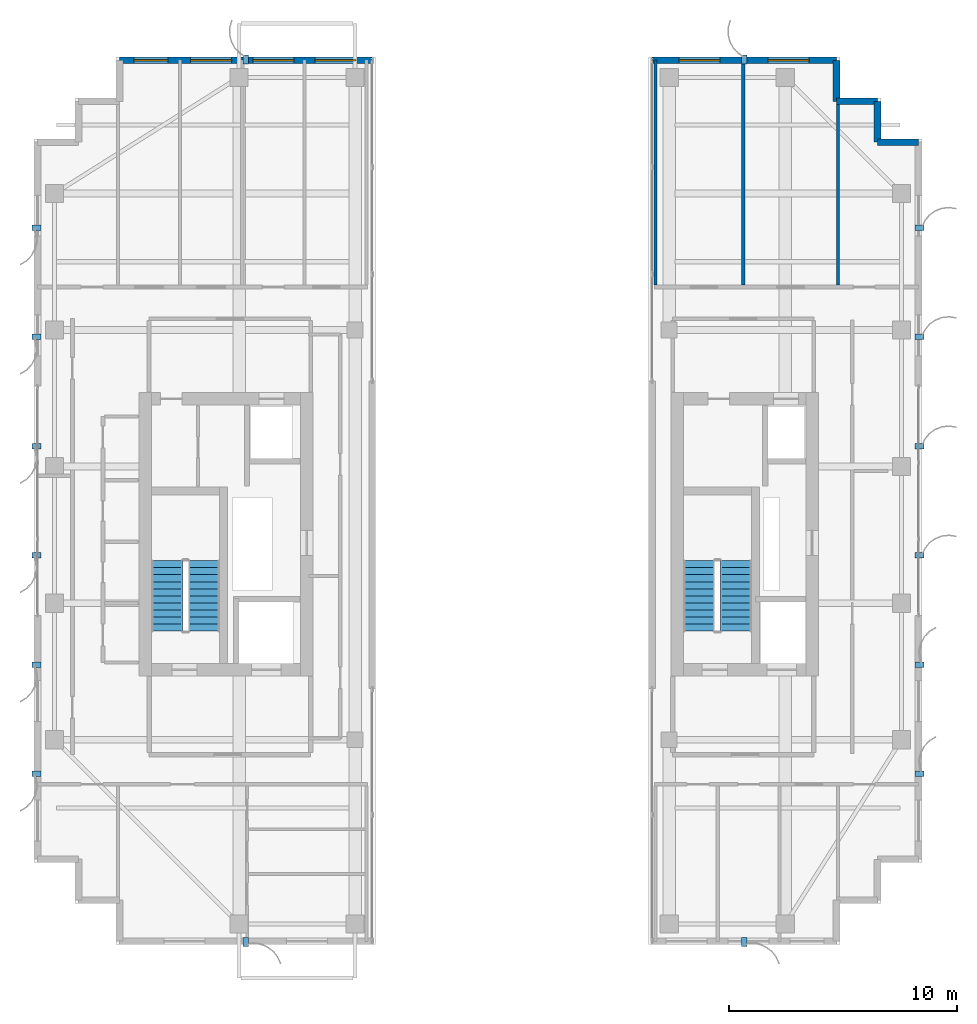
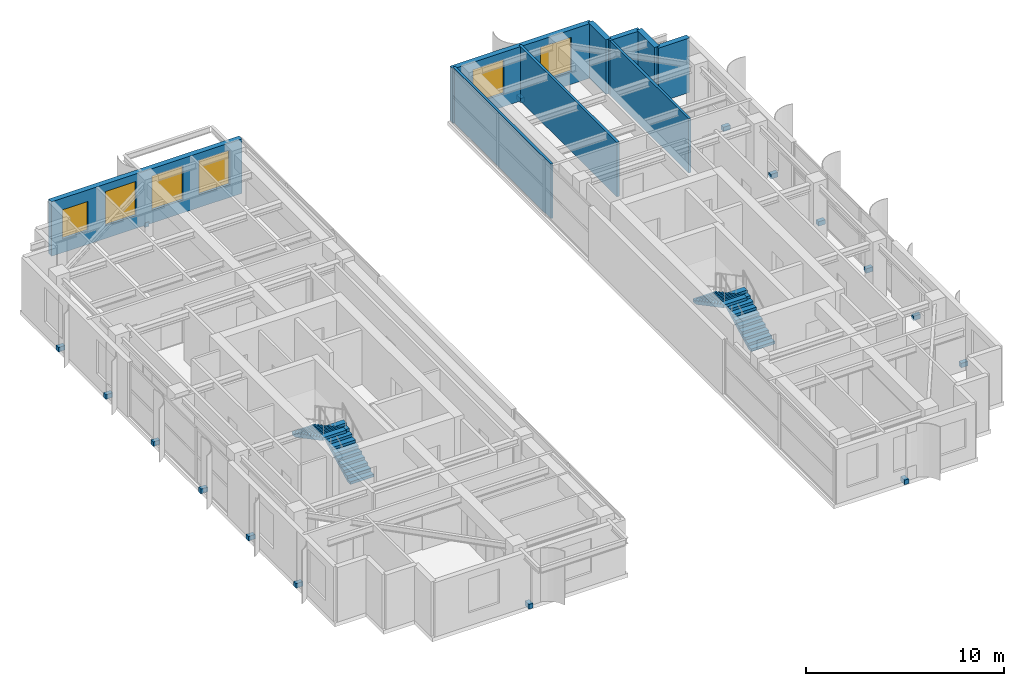
# One storey, part 20 of 22: 16 discrete accessories, 9 walls, 6 windows, 4 stair flights, 6 openings, 2 elements without a shape of their own.
"""IFC4 building model written with IfcOpenShell, lengths in metres."""

import ifcopenshell
import ifcopenshell.guid

model = None  # the IFC model being written
_history = None  # IfcOwnerHistory: only IFC2X3 demands one
_inside = {}  # id of a spatial element -> (the spatial element, [elements in it])
_under = {}  # id of a project, library or spatial element -> (it, [spatial elements below it])
_declared = {}  # id of a project -> (the project, [libraries it declares])
_typed = {}  # id of a type object -> (the type object, [elements of that type])
_made_of = {}  # id of a material, layer set ... -> (it, [elements and type objects made of it])


def new_model(schema):
    """Start an empty IFC model of exactly this schema.

    Asked for "IFC4X3", IfcOpenShell would pick the latest addendum, in which some entities
    have other attributes; the version numbers below select the first issue.
    IFC2X3 requires an IfcOwnerHistory on every rooted entity: one is made here for all.
    """
    global model, _history
    if schema == "IFC4X3":
        model = ifcopenshell.file(schema_version=(4, 3, 0, 0))
    else:
        model = ifcopenshell.file(schema=schema)
    _inside.clear()
    _under.clear()
    _declared.clear()
    _typed.clear()
    _made_of.clear()
    _history = None
    if model.schema == "IFC2X3":
        org = make("IfcOrganization", Name="unknown")
        user = make(
            "IfcPersonAndOrganization",
            ThePerson=make("IfcPerson", FamilyName="unknown"),
            TheOrganization=org,
        )
        app = make(
            "IfcApplication",
            ApplicationDeveloper=org,
            Version="unknown",
            ApplicationFullName="unknown",
            ApplicationIdentifier="unknown",
        )
        _history = make(
            "IfcOwnerHistory",
            OwningUser=user,
            OwningApplication=app,
            ChangeAction="ADDED",
            CreationDate=0,
        )
    return model


def make(cls, **values):
    """One entity of the class cls with the attributes given. An attribute that is None is left unset."""
    return model.create_entity(
        cls, **{name: value for name, value in values.items() if value is not None}
    )


def rooted(cls, **values):
    """An entity with a GlobalId (a new one), such as an element, a storey or a relation."""
    return make(cls, GlobalId=ifcopenshell.guid.new(), OwnerHistory=_history, **values)


def si_unit(unit_type, name, prefix=None):
    """IfcSIUnit, for example si_unit("LENGTHUNIT", "METRE", prefix="MILLI")."""
    return make("IfcSIUnit", UnitType=unit_type, Prefix=prefix, Name=name)


def assignment(units):
    """IfcUnitAssignment: the units of a project."""
    return None if units is None else make("IfcUnitAssignment", Units=units)


def point(xyz):
    """IfcCartesianPoint."""
    return None if xyz is None else make("IfcCartesianPoint", Coordinates=xyz)


def direction(xyz):
    """IfcDirection."""
    return None if xyz is None else make("IfcDirection", DirectionRatios=xyz)


def frame(location, z_axis=None, x_axis=None):
    """IfcAxis2Placement3D, a coordinate frame: its origin and axes. An axis left out is left unset."""
    return make(
        "IfcAxis2Placement3D",
        Location=point(location),
        Axis=direction(z_axis),
        RefDirection=direction(x_axis),
    )


def frame_2d(location, x_axis=None):
    """IfcAxis2Placement2D, a coordinate frame in the plane: its origin and x axis."""
    return make(
        "IfcAxis2Placement2D", Location=point(location), RefDirection=direction(x_axis)
    )


def origin():
    """The frame at (0, 0, 0) with its axes left unset."""
    return frame((0.0, 0.0, 0.0))


def origin_2d():
    """The frame at (0, 0) in the plane with its x axis left unset."""
    return frame_2d((0.0, 0.0))


def place(relative_to, where):
    """IfcLocalPlacement: puts the frame where relative to a parent placement (None: the world)."""
    return make(
        "IfcLocalPlacement", PlacementRelTo=relative_to, RelativePlacement=where
    )


def context(
    kind, dimensions, precision=None, world=None, true_north=None, identifier=None
):
    """IfcGeometricRepresentationContext, for example the 3D "Model" context."""
    return make(
        "IfcGeometricRepresentationContext",
        ContextIdentifier=identifier,
        ContextType=kind,
        CoordinateSpaceDimension=dimensions,
        Precision=precision,
        WorldCoordinateSystem=world,
        TrueNorth=true_north,
    )


def subcontext(parent, identifier, kind, view, scale=None):
    """IfcGeometricRepresentationSubContext, for example "Body" below "Model"."""
    return make(
        "IfcGeometricRepresentationSubContext",
        ContextIdentifier=identifier,
        ContextType=kind,
        ParentContext=parent,
        TargetScale=scale,
        TargetView=view,
    )


def project(units=None, contexts=None):
    """IfcProject with its units and contexts."""
    return rooted(
        "IfcProject",
        Name="project",
        RepresentationContexts=contexts,
        UnitsInContext=assignment(units),
    )


def spatial(cls, under=None, at=None, **own):
    """A site, building, storey or space (cls), placed at a placement, below another one or the project."""
    s = rooted(cls, ObjectPlacement=at, **own)
    if under is not None:
        _under.setdefault(under.id(), (under, []))[1].append(s)
    return s


def polyline(points):
    """IfcPolyline through the points."""
    return make("IfcPolyline", Points=[point(p) for p in points])


def profile(cls, at=None, kind="AREA", **sizes):
    """A parametric profile (cls). Its sizes go by their IFC names, for example OverallWidth=200.0."""
    return make(cls, ProfileType=kind, Position=at, **sizes)


def rectangle(**sizes):
    """IfcRectangleProfileDef."""
    return profile("IfcRectangleProfileDef", **sizes)


def outline(outer, holes=None, kind="AREA"):
    """IfcArbitraryClosedProfileDef: a profile drawn as a closed curve; with holes, ...WithVoids."""
    if holes is None:
        return make("IfcArbitraryClosedProfileDef", ProfileType=kind, OuterCurve=outer)
    return make(
        "IfcArbitraryProfileDefWithVoids",
        ProfileType=kind,
        OuterCurve=outer,
        InnerCurves=holes,
    )


def extrude(swept, where, along, depth):
    """IfcExtrudedAreaSolid: the profile swept, set in the frame where, extruded along a direction by depth."""
    return make(
        "IfcExtrudedAreaSolid",
        SweptArea=swept,
        Position=where,
        ExtrudedDirection=direction(along),
        Depth=depth,
    )


def shape(context_of_items, identifier, shape_type, items):
    """IfcShapeRepresentation: the items that make up one representation, for example the "Body"."""
    return make(
        "IfcShapeRepresentation",
        ContextOfItems=context_of_items,
        RepresentationIdentifier=identifier,
        RepresentationType=shape_type,
        Items=items,
    )


def source(mapping_origin, context_of_items, identifier, shape_type, items):
    """IfcRepresentationMap: a shape defined once, which mapped items show again and again."""
    return make(
        "IfcRepresentationMap",
        MappingOrigin=mapping_origin,
        MappedRepresentation=shape(context_of_items, identifier, shape_type, items),
    )


def transform(
    local_origin,
    x_axis=None,
    y_axis=None,
    z_axis=None,
    scale=None,
    scale2=None,
    scale3=None,
    uniform=True,
):
    """IfcCartesianTransformationOperator3D, or its non-uniform kind. x_axis, y_axis, z_axis: its Axis1, 2, 3."""
    if uniform:
        return make(
            "IfcCartesianTransformationOperator3D",
            Axis1=direction(x_axis),
            Axis2=direction(y_axis),
            LocalOrigin=point(local_origin),
            Scale=scale,
            Axis3=direction(z_axis),
        )
    return make(
        "IfcCartesianTransformationOperator3DnonUniform",
        Axis1=direction(x_axis),
        Axis2=direction(y_axis),
        LocalOrigin=point(local_origin),
        Scale=scale,
        Axis3=direction(z_axis),
        Scale2=scale2,
        Scale3=scale3,
    )


def mapped(mapping_source, mapping_target):
    """IfcMappedItem: shows the shape of a source again, moved by a transform."""
    return make(
        "IfcMappedItem", MappingSource=mapping_source, MappingTarget=mapping_target
    )


def material(Name=None, Category=None):
    """IfcMaterial."""
    return make("IfcMaterial", Name=Name, Category=Category)


def layer(
    of_material, thickness, ventilated=None, Name=None, Category=None, Priority=None
):
    """IfcMaterialLayer: one layer of a wall or slab, of a material (None: an air gap)."""
    return make(
        "IfcMaterialLayer",
        Material=of_material,
        LayerThickness=thickness,
        IsVentilated=ventilated,
        Name=Name,
        Category=Category,
        Priority=Priority,
    )


def layer_set(layers, Name=None):
    """IfcMaterialLayerSet."""
    return make("IfcMaterialLayerSet", MaterialLayers=layers, LayerSetName=Name)


def made_of(thing, what):
    """Note that an element or type object is made of a material, layer set ...; save() writes the relation."""
    if what is not None:
        _made_of.setdefault(what.id(), (what, []))[1].append(thing)
    return thing


def type_object(cls, material=None, **own):
    """A type object (cls), such as IfcWallType, which elements share."""
    return made_of(rooted(cls, **own), material)


def element(
    cls,
    number,
    at=None,
    inside=None,
    cuts=None,
    type_object=None,
    material=None,
    context=None,
    identifier="Body",
    shape_type=None,
    held_by="IfcProductDefinitionShape",
    body=None,
    shapes=None,
    **own,
):
    """One element of the class cls, such as IfcWall. Its Tag is "e" and its number.

    at: its placement. inside: the storey or other place that contains it. cuts: it is an
    opening in that element (IfcRelVoidsElement). A single representation is given by context,
    identifier, shape_type and body (its items); several are given by shapes. held_by: the class
    of the entity that holds the representations. save() writes the other relations.
    """
    e = rooted(cls, Tag="e%d" % number, ObjectPlacement=at, **own)
    if body is not None:
        shapes = [shape(context, identifier, shape_type, body)]
    if shapes is not None:
        e.Representation = make(held_by, Representations=shapes)
    if inside is not None:
        _inside.setdefault(inside.id(), (inside, []))[1].append(e)
    if cuts is not None:
        rooted(
            "IfcRelVoidsElement", RelatingBuildingElement=cuts, RelatedOpeningElement=e
        )
    if type_object is not None:
        _typed.setdefault(type_object.id(), (type_object, []))[1].append(e)
    return made_of(e, material)


def fill(opening, filler):
    """IfcRelFillsElement: the door or window that sits in an opening."""
    return rooted(
        "IfcRelFillsElement",
        RelatingOpeningElement=opening,
        RelatedBuildingElement=filler,
    )


def aggregate(whole, parts):
    """IfcRelAggregates: a whole, such as a stair, and the parts it consists of."""
    return rooted("IfcRelAggregates", RelatingObject=whole, RelatedObjects=parts)


def save(model, path):
    """Write the relations noted so far, then the file.

    IfcRelAggregates (storeys below a building ...), IfcRelContainedInSpatialStructure (elements
    in a storey), IfcRelDefinesByType, IfcRelAssociatesMaterial and IfcRelDeclares: one each for
    every whole, place, type object, material and project.
    """
    for whole, parts in _under.values():
        aggregate(whole, parts)
    for where, things in _inside.values():
        rooted(
            "IfcRelContainedInSpatialStructure",
            RelatedElements=things,
            RelatingStructure=where,
        )
    for kind, things in _typed.values():
        rooted("IfcRelDefinesByType", RelatedObjects=things, RelatingType=kind)
    for what, things in _made_of.values():
        rooted("IfcRelAssociatesMaterial", RelatedObjects=things, RelatingMaterial=what)
    for by, libraries in _declared.values():
        rooted("IfcRelDeclares", RelatingContext=by, RelatedDefinitions=libraries)
    model.write(path)


model = new_model("IFC4")

# Units and contexts
model_context = context("Model", 3, precision=1e-05, world=origin(), true_north=direction((0.0, 1.0)))
body_context = subcontext(model_context, "Body", "Model", "MODEL_VIEW")
ifc_project = project(units=[si_unit("LENGTHUNIT", "METRE"), si_unit("AREAUNIT", "SQUARE_METRE"), si_unit("VOLUMEUNIT", "CUBIC_METRE"), si_unit("PLANEANGLEUNIT", "RADIAN"), si_unit("MASSUNIT", "GRAM", prefix="KILO")], contexts=[model_context])

# Site, building, storey
site_placement = place(None, origin())
site = spatial("IfcSite", under=ifc_project, at=site_placement, CompositionType="ELEMENT")
building_placement = place(site_placement, origin())
building = spatial("IfcBuilding", under=site, at=building_placement, Name="Khoralis Quay Care Tower", CompositionType="ELEMENT")
storey_placement = place(building_placement, frame((0.0, 0.0, 256.5)))
storey = spatial("IfcBuildingStorey", under=building, at=storey_placement, Name="L67", CompositionType="ELEMENT", Elevation=256.5)

# Wall, openings, windows
ifc_material_1 = material(Name="Precast concrete C45/55", Category="concrete")
ifc_layer_1 = layer(ifc_material_1, 0.300048828125)
ifc_layer_set_1 = layer_set([ifc_layer_1], Name="Precast concrete C45/55")
wall_type_1 = type_object("IfcWallType", Name="WL-EXT-REF-300", PredefinedType="SOLIDWALL", material=ifc_layer_set_1)
wall_1_placement = place(storey_placement, frame((17.85009765625, 41.85009765625, 0.0), z_axis=(0.0, 0.0, 1.0), x_axis=(-1.0, 0.0, 0.0)))
wall_1 = element("IfcWall", 1, at=wall_1_placement, inside=storey, type_object=wall_type_1, Name="L67 External Facade Wall WL-EXT-L67-P1-E2", PredefinedType="SOLIDWALL", context=body_context, shape_type="SweptSolid", body=[
    extrude(rectangle(XDim=11.10009765625, YDim=0.300048828125, at=frame_2d((5.550048828125, 0.0))), origin(), (0.0, 0.0, 1.0), 3.360107421875),
])
opening_1_placement = place(wall_1_placement, frame((0.715087890625, 0.0, 0.800048828125)))
opening_1 = element("IfcOpeningElement", 2, at=opening_1_placement, cuts=wall_1, Name="Opening W2", PredefinedType="OPENING", context=body_context, shape_type="SweptSolid", body=[
    extrude(rectangle(XDim=1.800048828125, YDim=2.10009765625, at=frame_2d((0.89990234375, 1.050048828125))), frame((0.0, 0.16015625, 0.0), z_axis=(0.0, -1.0, 0.0), x_axis=(1.0, 0.0, 0.0)), (0.0, 0.0, 1.0), 0.320068359375),
])
opening_2_placement = place(wall_1_placement, frame((3.445068359375, 0.0, 0.800048828125)))
opening_2 = element("IfcOpeningElement", 3, at=opening_2_placement, cuts=wall_1, Name="Opening W2", PredefinedType="OPENING", context=body_context, shape_type="SweptSolid", body=[
    extrude(rectangle(XDim=1.800048828125, YDim=2.10009765625, at=frame_2d((0.89990234375, 1.050048828125))), frame((0.0, 0.16015625, 0.0), z_axis=(0.0, -1.0, 0.0), x_axis=(1.0, 0.0, 0.0)), (0.0, 0.0, 1.0), 0.320068359375),
])
opening_3_placement = place(wall_1_placement, frame((6.175048828125, 0.0, 0.800048828125)))
opening_3 = element("IfcOpeningElement", 4, at=opening_3_placement, cuts=wall_1, Name="Opening W2", PredefinedType="OPENING", context=body_context, shape_type="SweptSolid", body=[
    extrude(rectangle(XDim=1.800048828125, YDim=2.10009765625, at=frame_2d((0.89990234375, 1.050048828125))), frame((0.0, 0.16015625, 0.0), z_axis=(0.0, -1.0, 0.0), x_axis=(1.0, 0.0, 0.0)), (0.0, 0.0, 1.0), 0.320068359375),
])
opening_4_placement = place(wall_1_placement, frame((8.969970703125, 0.0, 0.85009765625)))
opening_4 = element("IfcOpeningElement", 5, at=opening_4_placement, cuts=wall_1, Name="Opening W3", PredefinedType="OPENING", context=body_context, shape_type="SweptSolid", body=[
    extrude(rectangle(XDim=1.5, YDim=1.800048828125, at=frame_2d((0.75, 0.89990234375))), frame((0.0, 0.16015625, 0.0), z_axis=(0.0, -1.0, 0.0), x_axis=(1.0, 0.0, 0.0)), (0.0, 0.0, 1.0), 0.320068359375),
])
ifc_material_2 = material(Name="Low-E solar-control double glazing", Category="glass")
window_type_1 = type_object("IfcWindowType", Name="WN-CLIN-1500X1800", PartitioningType="SINGLE_PANEL", PredefinedType="WINDOW", material=ifc_material_2)
shared_shape_1 = source(origin(), body_context, "Body", "SweptSolid", [
    extrude(rectangle(XDim=1.5, YDim=1.800048828125, at=frame_2d((0.75, 0.89990234375))), frame((0.0, 0.030029296875, 0.0), z_axis=(0.0, -1.0, 0.0), x_axis=(1.0, 0.0, 0.0)), (0.0, 0.0, 1.0), 0.06005859375),
])
window_1_placement = place(opening_4_placement, origin())
window_1 = element("IfcWindow", 6, at=window_1_placement, inside=storey, type_object=window_type_1, Name="WN-L67-P1-E2 Facade Window 04", OverallHeight=1.800048828125, OverallWidth=1.5, PartitioningType="SINGLE_PANEL", PredefinedType="WINDOW", context=body_context, shape_type="MappedRepresentation", body=[
    mapped(shared_shape_1, transform((0.0, 0.0, 0.0), scale=1.0)),
])
fill(opening_4, window_1)
window_type_2 = type_object("IfcWindowType", Name="WN-POD-1800X2100", PartitioningType="SINGLE_PANEL", PredefinedType="WINDOW", material=ifc_material_2)
shared_shape_2 = source(origin(), body_context, "Body", "SweptSolid", [
    extrude(rectangle(XDim=1.800048828125, YDim=2.10009765625, at=frame_2d((0.89990234375, 1.050048828125))), frame((0.0, 0.030029296875, 0.0), z_axis=(0.0, -1.0, 0.0), x_axis=(1.0, 0.0, 0.0)), (0.0, 0.0, 1.0), 0.06005859375),
])
window_2_placement = place(opening_1_placement, origin())
window_2 = element("IfcWindow", 7, at=window_2_placement, inside=storey, type_object=window_type_2, Name="WN-L67-P1-E2 Facade Window 01", OverallHeight=2.10009765625, OverallWidth=1.800048828125, PartitioningType="SINGLE_PANEL", PredefinedType="WINDOW", context=body_context, shape_type="MappedRepresentation", body=[
    mapped(shared_shape_2, transform((0.0, 0.0, 0.0), scale=1.0)),
])
fill(opening_1, window_2)
window_3_placement = place(opening_2_placement, origin())
window_3 = element("IfcWindow", 8, at=window_3_placement, inside=storey, type_object=window_type_2, Name="WN-L67-P1-E2 Facade Window 02", OverallHeight=2.10009765625, OverallWidth=1.800048828125, PartitioningType="SINGLE_PANEL", PredefinedType="WINDOW", context=body_context, shape_type="MappedRepresentation", body=[
    mapped(shared_shape_2, transform((0.0, 0.0, 0.0), scale=1.0)),
])
fill(opening_2, window_3)
window_4_placement = place(opening_3_placement, origin())
window_4 = element("IfcWindow", 9, at=window_4_placement, inside=storey, type_object=window_type_2, Name="WN-L67-P1-E2 Facade Window 03", OverallHeight=2.10009765625, OverallWidth=1.800048828125, PartitioningType="SINGLE_PANEL", PredefinedType="WINDOW", context=body_context, shape_type="MappedRepresentation", body=[
    mapped(shared_shape_2, transform((0.0, 0.0, 0.0), scale=1.0)),
])
fill(opening_3, window_4)

# Walls
for number, where, z_axis, x_axis, name in (
    (10, (41.85009765625, 38.25, 0.0), (0.0, 0.0, 1.0), (-1.0, 0.0, 0.0), "L67 External Facade Wall WL-EXT-L67-P2-C6"),
    (11, (40.050048828125, 38.25, 0.0), (0.0, 0.0, 1.0), (0.0, 1.0, 0.0), "L67 External Facade Wall WL-EXT-L67-P2-C7"),
    (12, (40.050048828125, 40.050048828125, 0.0), (0.0, 0.0, 1.0), (-1.0, 0.0, 0.0), "L67 External Facade Wall WL-EXT-L67-P2-C8"),
    (13, (38.25, 40.050048828125, 0.0), (0.0, 0.0, 1.0), (0.0, 1.0, 0.0), "L67 External Facade Wall WL-EXT-L67-P2-C9"),
):
    element("IfcWall", number, at=place(storey_placement, frame(where, z_axis=z_axis, x_axis=x_axis)), inside=storey, type_object=wall_type_1, Name=name, PredefinedType="SOLIDWALL", context=body_context, shape_type="SweptSolid", body=[
        extrude(rectangle(XDim=1.800048828125, YDim=0.300048828125, at=frame_2d((0.89990234375, 0.0))), origin(), (0.0, 0.0, 1.0), 3.360107421875),
    ])

# Wall, openings, windows
wall_2_placement = place(storey_placement, frame((38.25, 41.85009765625, 0.0), z_axis=(0.0, 0.0, 1.0), x_axis=(-1.0, 0.0, 0.0)))
wall_2 = element("IfcWall", 14, at=wall_2_placement, inside=storey, type_object=wall_type_1, Name="L67 External Facade Wall WL-EXT-L67-P2-E10", PredefinedType="SOLIDWALL", context=body_context, shape_type="SweptSolid", body=[
    extrude(rectangle(XDim=8.10009765625, YDim=0.300048828125, at=frame_2d((4.050048828125, 0.0))), origin(), (0.0, 0.0, 1.0), 3.360107421875),
])
opening_5_placement = place(wall_2_placement, frame((1.199951171875, 0.0, 0.800048828125)))
opening_5 = element("IfcOpeningElement", 15, at=opening_5_placement, cuts=wall_2, Name="Opening W2", PredefinedType="OPENING", context=body_context, shape_type="SweptSolid", body=[
    extrude(rectangle(XDim=1.800048828125, YDim=2.10009765625, at=frame_2d((0.89990234375, 1.050048828125))), frame((0.0, 0.16015625, 0.0), z_axis=(0.0, -1.0, 0.0), x_axis=(1.0, 0.0, 0.0)), (0.0, 0.0, 1.0), 0.320068359375),
])
opening_6_placement = place(wall_2_placement, frame((5.125, 0.0, 0.800048828125)))
opening_6 = element("IfcOpeningElement", 16, at=opening_6_placement, cuts=wall_2, Name="Opening W2", PredefinedType="OPENING", context=body_context, shape_type="SweptSolid", body=[
    extrude(rectangle(XDim=1.800048828125, YDim=2.10009765625, at=frame_2d((0.89990234375, 1.050048828125))), frame((0.0, 0.16015625, 0.0), z_axis=(0.0, -1.0, 0.0), x_axis=(1.0, 0.0, 0.0)), (0.0, 0.0, 1.0), 0.320068359375),
])
window_5_placement = place(opening_5_placement, origin())
window_5 = element("IfcWindow", 17, at=window_5_placement, inside=storey, type_object=window_type_2, Name="WN-L67-P2-E10 Facade Window 01", OverallHeight=2.10009765625, OverallWidth=1.800048828125, PartitioningType="SINGLE_PANEL", PredefinedType="WINDOW", context=body_context, shape_type="MappedRepresentation", body=[
    mapped(shared_shape_2, transform((0.0, 0.0, 0.0), scale=1.0)),
])
fill(opening_5, window_5)
window_6_placement = place(opening_6_placement, origin())
window_6 = element("IfcWindow", 18, at=window_6_placement, inside=storey, type_object=window_type_2, Name="WN-L67-P2-E10 Facade Window 02", OverallHeight=2.10009765625, OverallWidth=1.800048828125, PartitioningType="SINGLE_PANEL", PredefinedType="WINDOW", context=body_context, shape_type="MappedRepresentation", body=[
    mapped(shared_shape_2, transform((0.0, 0.0, 0.0), scale=1.0)),
])
fill(opening_6, window_6)

# Walls
ifc_material_3 = material(Name="Gypsum plasterboard on acoustic metal stud")
ifc_layer_2 = layer(ifc_material_3, 0.139892578125)
ifc_layer_set_2 = layer_set([ifc_layer_2], Name="Gypsum plasterboard on acoustic metal stud")
wall_type_2 = type_object("IfcWallType", Name="WL-UNIT-140", PredefinedType="PARTITIONING", material=ifc_layer_set_2)
for number, where, z_axis, x_axis, name in (
    (19, (30.300048828125, 31.967529296875, 0.0), (0.0, 0.0, 1.0), (0.0, 1.0, 0.0), "L67 EN Demising Wall 0"),
    (20, (34.14990234375, 31.967529296875, 0.0), (0.0, 0.0, 1.0), (0.0, 1.0, 0.0), "L67 EN Demising Wall 1"),
):
    element("IfcWall", number, at=place(storey_placement, frame(where, z_axis=z_axis, x_axis=x_axis)), inside=storey, type_object=wall_type_2, Name=name, PredefinedType="PARTITIONING", context=body_context, shape_type="SweptSolid", body=[
        extrude(rectangle(XDim=9.887451171875, YDim=0.139892578125, at=frame_2d((4.94384765625, 0.0))), origin(), (0.0, 0.0, 1.0), 3.360107421875),
    ])
wall_3_placement = place(storey_placement, frame((38.320068359375, 31.967529296875, 0.0), z_axis=(0.0, 0.0, 1.0), x_axis=(0.0, 1.0, 0.0)))
element("IfcWall", 21, at=wall_3_placement, inside=storey, type_object=wall_type_2, Name="L67 EN Demising Wall 2", PredefinedType="PARTITIONING", context=body_context, shape_type="SweptSolid", body=[
    extrude(rectangle(XDim=8.08740234375, YDim=0.139892578125, at=frame_2d((4.043701171875, 0.0))), origin(), (0.0, 0.0, 1.0), 3.360107421875),
])

# Stair, stair flights
stair_type = type_object("IfcStairType", Name="ST-TWR-DOGLEG-1400", PredefinedType="HALF_TURN_STAIR", material=ifc_material_1)
stair_1_placement = place(storey_placement, origin())
stair_1 = element("IfcStair", 22, at=stair_1_placement, inside=storey, type_object=stair_type, Name="L67 West Core Exit Stair ST-T1", PredefinedType="HALF_TURN_STAIR")
stair_flight_type = type_object("IfcStairFlightType", Name="SF-TWR-1400", PredefinedType="STRAIGHT", material=ifc_material_1)
shared_shape_3 = source(origin(), body_context, "Body", "SweptSolid", [
    extrude(outline(polyline([(0.0, 0.0), (0.0, 0.16357421875), (0.31005859375, 0.16357421875), (0.31005859375, 0.327392578125), (0.6201171875, 0.327392578125), (0.6201171875, 0.490966796875), (0.929931640625, 0.490966796875), (0.929931640625, 0.654541015625), (1.239990234375, 0.654541015625), (1.239990234375, 0.818115234375), (1.550048828125, 0.818115234375), (1.550048828125, 0.98193359375), (1.860107421875, 0.98193359375), (1.860107421875, 1.1455078125), (2.169921875, 1.1455078125), (2.169921875, 1.30908203125), (2.47998046875, 1.30908203125), (2.47998046875, 1.47265625), (2.7900390625, 1.47265625), (2.7900390625, 1.636474609375), (3.10009765625, 1.636474609375), (3.10009765625, 1.800048828125), (3.10009765625, 1.466796875), (0.321044921875, 0.0), (0.0, 0.0)])), frame((0.0, 0.68994140625, 0.0), z_axis=(0.0, -1.0, 0.0), x_axis=(1.0, 0.0, 0.0)), (0.0, 0.0, 1.0), 1.3798828125),
])
stair_flight_1_placement = place(storey_placement, frame((10.4599609375, 16.77001953125, 0.0), z_axis=(0.0, 0.0, 1.0), x_axis=(0.0, 1.0, 0.0)))
stair_flight_1 = element("IfcStairFlight", 23, at=stair_flight_1_placement, type_object=stair_flight_type, Name="ST-T1 flight 1", NumberOfRisers=11, NumberOfTreads=10, PredefinedType="STRAIGHT", RiserHeight=0.163636364, TreadLength=0.31, context=body_context, shape_type="MappedRepresentation", body=[
    mapped(shared_shape_3, transform((0.0, 0.0, 0.0), scale=1.0)),
])
stair_flight_2_placement = place(storey_placement, frame((8.840087890625, 19.8701171875, 1.800048828125), z_axis=(0.0, 0.0, 1.0), x_axis=(0.0, -1.0, 0.0)))
stair_flight_2 = element("IfcStairFlight", 24, at=stair_flight_2_placement, type_object=stair_flight_type, Name="ST-T1 flight 2", NumberOfRisers=11, NumberOfTreads=10, PredefinedType="STRAIGHT", RiserHeight=0.163636364, TreadLength=0.31, context=body_context, shape_type="MappedRepresentation", body=[
    mapped(shared_shape_3, transform((0.0, 0.0, 0.0), scale=1.0)),
])
aggregate(stair_1, [stair_flight_1, stair_flight_2])

stair_2_placement = place(storey_placement, origin())
stair_2 = element("IfcStair", 25, at=stair_2_placement, inside=storey, type_object=stair_type, Name="L67 East Core Exit Stair ST-T2", PredefinedType="HALF_TURN_STAIR")
stair_flight_3_placement = place(storey_placement, frame((33.830078125, 16.77001953125, 0.0), z_axis=(0.0, 0.0, 1.0), x_axis=(0.0, 1.0, 0.0)))
stair_flight_3 = element("IfcStairFlight", 26, at=stair_flight_3_placement, type_object=stair_flight_type, Name="ST-T2 flight 1", NumberOfRisers=11, NumberOfTreads=10, PredefinedType="STRAIGHT", RiserHeight=0.163636364, TreadLength=0.31, context=body_context, shape_type="MappedRepresentation", body=[
    mapped(shared_shape_3, transform((0.0, 0.0, 0.0), scale=1.0)),
])
stair_flight_4_placement = place(storey_placement, frame((32.2099609375, 19.8701171875, 1.800048828125), z_axis=(0.0, 0.0, 1.0), x_axis=(0.0, -1.0, 0.0)))
stair_flight_4 = element("IfcStairFlight", 27, at=stair_flight_4_placement, type_object=stair_flight_type, Name="ST-T2 flight 2", NumberOfRisers=11, NumberOfTreads=10, PredefinedType="STRAIGHT", RiserHeight=0.163636364, TreadLength=0.31, context=body_context, shape_type="MappedRepresentation", body=[
    mapped(shared_shape_3, transform((0.0, 0.0, 0.0), scale=1.0)),
])
aggregate(stair_2, [stair_flight_3, stair_flight_4])

# Discrete accessories
ifc_material_4 = material(Name="Brushed stainless steel", Category="steel")
discrete_accessory_type = type_object("IfcDiscreteAccessoryType", Name="ACC-FIN-BRACKET", PredefinedType="BRACKET", material=ifc_material_4)
shared_shape_4 = source(origin(), body_context, "Body", "SweptSolid", [
    extrude(rectangle(XDim=0.39990234375, YDim=0.239990234375, at=origin_2d()), origin(), (0.0, 0.0, 1.0), 0.280029296875),
])
for number, where, z_axis, x_axis, name in (
    (28, (12.300048828125, 3.110107421875, -0.1201171875), (0.0, 0.0, 1.0), (0.0, -1.0, 0.0), "L67 Solar Fin Bracket P1E0-01"),
    (29, (12.300048828125, 41.889892578125, -0.1201171875), (0.0, 0.0, 1.0), (0.0, 1.0, 0.0), "L67 Solar Fin Bracket P1E2-01"),
    (30, (3.110107421875, 34.5, -0.1201171875), (0.0, 0.0, 1.0), (-1.0, 0.0, 0.0), "L67 Solar Fin Bracket P1E7-01"),
    (31, (3.110107421875, 29.699951171875, -0.1201171875), (0.0, 0.0, 1.0), (-1.0, 0.0, 0.0), "L67 Solar Fin Bracket P1E7-02"),
    (32, (3.110107421875, 24.89990234375, -0.1201171875), (0.0, 0.0, 1.0), (-1.0, 0.0, 0.0), "L67 Solar Fin Bracket P1E7-03"),
    (33, (3.110107421875, 20.10009765625, -0.1201171875), (0.0, 0.0, 1.0), (-1.0, 0.0, 0.0), "L67 Solar Fin Bracket P1E7-04"),
    (34, (3.110107421875, 15.300048828125, -0.1201171875), (0.0, 0.0, 1.0), (-1.0, 0.0, 0.0), "L67 Solar Fin Bracket P1E7-05"),
    (35, (3.110107421875, 10.5, -0.1201171875), (0.0, 0.0, 1.0), (-1.0, 0.0, 0.0), "L67 Solar Fin Bracket P1E7-06"),
    (36, (34.199951171875, 3.110107421875, -0.1201171875), (0.0, 0.0, 1.0), (0.0, -1.0, 0.0), "L67 Solar Fin Bracket P2E0-01"),
    (37, (41.889892578125, 10.5, -0.1201171875), (0.0, 0.0, 1.0), (1.0, 0.0, 0.0), "L67 Solar Fin Bracket P2E5-01"),
    (38, (41.889892578125, 15.300048828125, -0.1201171875), (0.0, 0.0, 1.0), (1.0, 0.0, 0.0), "L67 Solar Fin Bracket P2E5-02"),
    (39, (41.889892578125, 20.10009765625, -0.1201171875), (0.0, 0.0, 1.0), (1.0, 0.0, 0.0), "L67 Solar Fin Bracket P2E5-03"),
    (40, (41.889892578125, 24.89990234375, -0.1201171875), (0.0, 0.0, 1.0), (1.0, 0.0, 0.0), "L67 Solar Fin Bracket P2E5-04"),
    (41, (41.889892578125, 29.699951171875, -0.1201171875), (0.0, 0.0, 1.0), (1.0, 0.0, 0.0), "L67 Solar Fin Bracket P2E5-05"),
    (42, (41.889892578125, 34.5, -0.1201171875), (0.0, 0.0, 1.0), (1.0, 0.0, 0.0), "L67 Solar Fin Bracket P2E5-06"),
    (43, (34.199951171875, 41.889892578125, -0.1201171875), (0.0, 0.0, 1.0), (0.0, 1.0, 0.0), "L67 Solar Fin Bracket P2E10-01"),
):
    element("IfcDiscreteAccessory", number, at=place(storey_placement, frame(where, z_axis=z_axis, x_axis=x_axis)), inside=storey, type_object=discrete_accessory_type, Name=name, PredefinedType="BRACKET", context=body_context, shape_type="MappedRepresentation", body=[
        mapped(shared_shape_4, transform((0.0, 0.0, 0.0), scale=1.0)),
    ])

save(model, "model.ifc")
